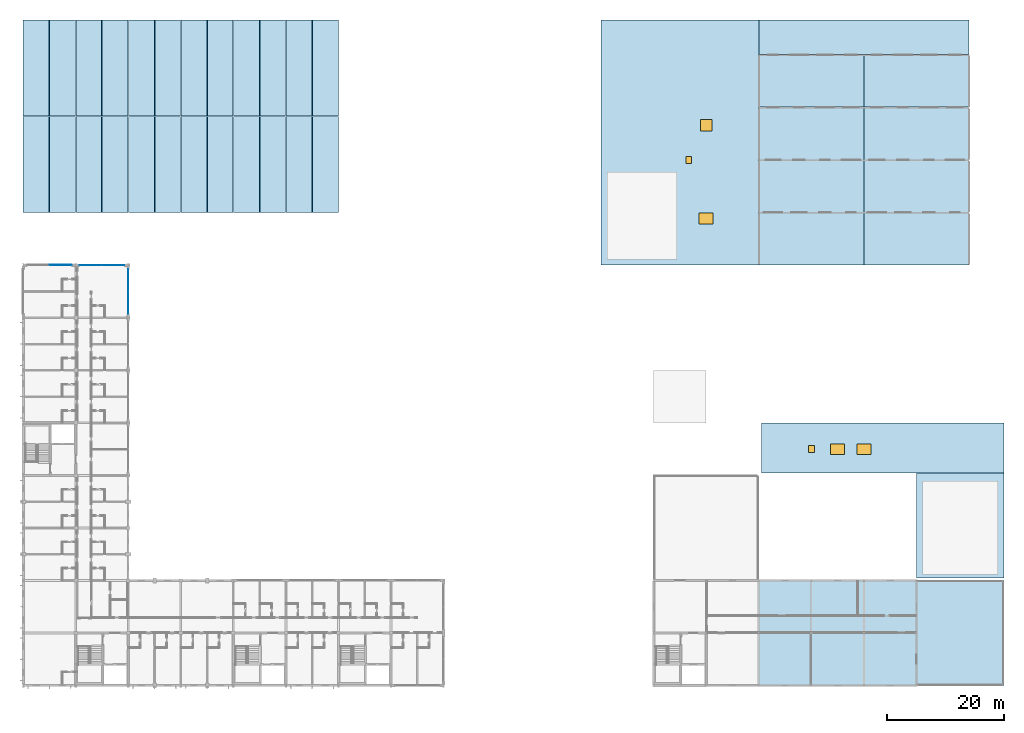
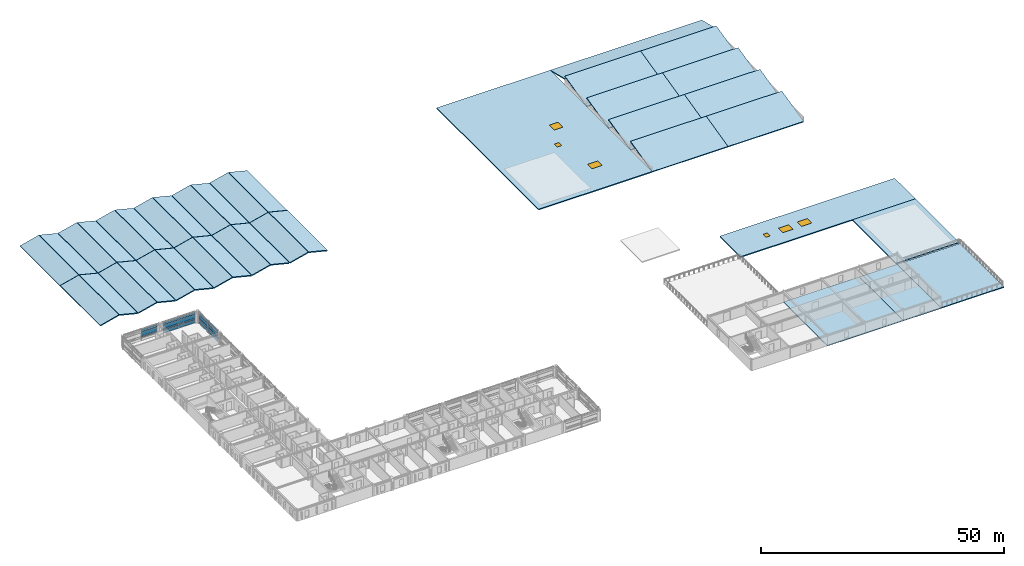
# One storey, part 16 of 37: 39 slabs, 19 plates, 4 windows, 2 doors, 6 openings, 3 elements without a shape of their own.
"""IFC4 building model written with IfcOpenShell, lengths in metres."""

from ifc_helpers import new_model, si_unit, direction, frame, origin, origin_2d, place, context, subcontext, project, spatial, polyline, rectangle, outline, extrude, material, layer, layer_set, type_object, element, fill, aggregate, save


model = new_model("IFC4")

# Units and contexts
model_context = context("Model", 3, precision=1e-05, world=origin(), true_north=direction((0.0, 1.0)))
body_context = subcontext(model_context, "Body", "Model", "MODEL_VIEW")
ifc_project = project(units=[si_unit("LENGTHUNIT", "METRE"), si_unit("AREAUNIT", "SQUARE_METRE"), si_unit("VOLUMEUNIT", "CUBIC_METRE"), si_unit("PLANEANGLEUNIT", "RADIAN"), si_unit("MASSUNIT", "GRAM", prefix="KILO")], contexts=[model_context])

# Site, building, storey
site_placement = place(None, origin())
site = spatial("IfcSite", under=ifc_project, at=site_placement, CompositionType="ELEMENT")
building_placement = place(site_placement, origin())
building = spatial("IfcBuilding", under=site, at=building_placement, Name="Palais des Congres Ocreval", CompositionType="ELEMENT")
storey_placement = place(building_placement, frame((0.0, 0.0, 11.52001953125)))
storey = spatial("IfcBuildingStorey", under=building, at=storey_placement, Name="L03", CompositionType="ELEMENT", Elevation=11.52001953125)

# Curtain wall, plates
ifc_material_1 = material(Name="Anodized bronze aluminium and low-E glass", Category="glass")
curtain_wall_type = type_object("IfcCurtainWallType", Name="Unitised Curtain Wall 7900x2820", PredefinedType="USERDEFINED", material=ifc_material_1)
curtain_wall_1_placement = place(storey_placement, origin())
curtain_wall_1 = element("IfcCurtainWall", 1, at=curtain_wall_1_placement, inside=storey, type_object=curtain_wall_type, Name="Unitised Curtain Wall CW04 L03", ObjectType="UNITISED CURTAIN WALL", PredefinedType="USERDEFINED")
ifc_material_2 = material(Name="Acoustic triple glazing", Category="glass")
ifc_layer_1 = layer(ifc_material_2, 0.0439453125)
ifc_layer_set_1 = layer_set([ifc_layer_1], Name="Acoustic Laminated Glazing Panel 44 (Acoustic triple glazing)")
plate_type_1 = type_object("IfcPlateType", Name="Acoustic Laminated Glazing Panel 44", PredefinedType="CURTAIN_PANEL", material=ifc_layer_set_1)
plate_1_placement = place(storey_placement, frame((18.0, 69.40869140625, 0.06005859375), z_axis=(0.0, 0.0, 1.0), x_axis=(0.0, -1.0, 0.0)))
plate_1 = element("IfcPlate", 2, at=plate_1_placement, type_object=plate_type_1, Name="Vision Glazing Panel VP02", PredefinedType="CURTAIN_PANEL", context=body_context, shape_type="SweptSolid", body=[
    extrude(rectangle(XDim=3.75244140625, YDim=0.0439453125, at=origin_2d()), origin(), (0.0, 0.0, 1.0), 0.68994140625),
])
plate_2_placement = place(storey_placement, frame((18.0, 69.40869140625, 0.81005859375), z_axis=(0.0, 0.0, 1.0), x_axis=(0.0, -1.0, 0.0)))
plate_2 = element("IfcPlate", 3, at=plate_2_placement, type_object=plate_type_1, Name="Vision Glazing Panel VP02", PredefinedType="CURTAIN_PANEL", context=body_context, shape_type="SweptSolid", body=[
    extrude(rectangle(XDim=3.75244140625, YDim=0.0439453125, at=origin_2d()), origin(), (0.0, 0.0, 1.0), 0.353515625),
])
plate_3_placement = place(storey_placement, frame((18.0, 69.40869140625, 1.2236328125), z_axis=(0.0, 0.0, 1.0), x_axis=(0.0, -1.0, 0.0)))
plate_3 = element("IfcPlate", 4, at=plate_3_placement, type_object=plate_type_1, Name="Vision Glazing Panel VP02", PredefinedType="CURTAIN_PANEL", context=body_context, shape_type="SweptSolid", body=[
    extrude(rectangle(XDim=3.75244140625, YDim=0.0439453125, at=origin_2d()), origin(), (0.0, 0.0, 1.0), 0.91650390625),
])
plate_4_placement = place(storey_placement, frame((18.0, 65.59130859375, 0.06005859375), z_axis=(0.0, 0.0, 1.0), x_axis=(0.0, -1.0, 0.0)))
plate_4 = element("IfcPlate", 5, at=plate_4_placement, type_object=plate_type_1, Name="Vision Glazing Panel VP02", PredefinedType="CURTAIN_PANEL", context=body_context, shape_type="SweptSolid", body=[
    extrude(rectangle(XDim=3.75244140625, YDim=0.0439453125, at=origin_2d()), origin(), (0.0, 0.0, 1.0), 0.68994140625),
])
plate_5_placement = place(storey_placement, frame((18.0, 65.59130859375, 0.81005859375), z_axis=(0.0, 0.0, 1.0), x_axis=(0.0, -1.0, 0.0)))
plate_5 = element("IfcPlate", 6, at=plate_5_placement, type_object=plate_type_1, Name="Vision Glazing Panel VP02", PredefinedType="CURTAIN_PANEL", context=body_context, shape_type="SweptSolid", body=[
    extrude(rectangle(XDim=3.75244140625, YDim=0.0439453125, at=origin_2d()), origin(), (0.0, 0.0, 1.0), 0.353515625),
])
plate_6_placement = place(storey_placement, frame((18.0, 65.59130859375, 1.2236328125), z_axis=(0.0, 0.0, 1.0), x_axis=(0.0, -1.0, 0.0)))
plate_6 = element("IfcPlate", 7, at=plate_6_placement, type_object=plate_type_1, Name="Vision Glazing Panel VP02", PredefinedType="CURTAIN_PANEL", context=body_context, shape_type="SweptSolid", body=[
    extrude(rectangle(XDim=3.75244140625, YDim=0.0439453125, at=origin_2d()), origin(), (0.0, 0.0, 1.0), 0.91650390625),
])

curtain_wall_2_placement = place(storey_placement, origin())
curtain_wall_2 = element("IfcCurtainWall", 8, at=curtain_wall_2_placement, inside=storey, type_object=curtain_wall_type, Name="Unitised Curtain Wall CW04 L03", ObjectType="UNITISED CURTAIN WALL", PredefinedType="USERDEFINED")
ifc_material_3 = material(Name="Anodized bronze aluminium", Category="aluminium")
ifc_layer_2 = layer(ifc_material_3, 0.06005859375)
ifc_layer_set_2 = layer_set([ifc_layer_2], Name="Anodized Bronze Spandrel Cassette 60 (Anodized bronze aluminium)")
plate_type_2 = type_object("IfcPlateType", Name="Anodized Bronze Spandrel Cassette 60", PredefinedType="SHEET", material=ifc_layer_set_2)
plate_7_placement = place(storey_placement, frame((11.592529296875, 72.0, 2.199951171875), z_axis=(0.0, 0.0, 1.0), x_axis=(1.0, 0.0, 0.0)))
plate_7 = element("IfcPlate", 9, at=plate_7_placement, type_object=plate_type_2, Name="Spandrel Sheet SPN1", PredefinedType="SHEET", context=body_context, shape_type="SweptSolid", body=[
    extrude(rectangle(XDim=3.7451171875, YDim=0.06005859375, at=origin_2d()), origin(), (0.0, 0.0, 1.0), 0.56005859375),
])
plate_8_placement = place(storey_placement, frame((15.407470703125, 72.0, 2.199951171875), z_axis=(0.0, 0.0, 1.0), x_axis=(1.0, 0.0, 0.0)))
plate_8 = element("IfcPlate", 10, at=plate_8_placement, type_object=plate_type_2, Name="Spandrel Sheet SPN1", PredefinedType="SHEET", context=body_context, shape_type="SweptSolid", body=[
    extrude(rectangle(XDim=3.7451171875, YDim=0.06005859375, at=origin_2d()), origin(), (0.0, 0.0, 1.0), 0.56005859375),
])

# Slab, openings, windows, door
ifc_material_4 = material(Name="Concrete C40/50", Category="concrete")
ifc_layer_3 = layer(ifc_material_4, 0.25)
ifc_layer_set_3 = layer_set([ifc_layer_3], Name="Folded and Crown Roof Deck 250 Concrete C40/50")
slab_type_1 = type_object("IfcSlabType", Name="Folded and Crown Roof Deck 250 Concrete C40/50", PredefinedType="ROOF", material=ifc_layer_set_3)
slab_1_placement = place(storey_placement, frame((0.0, 0.0, -0.25)))
slab_1 = element("IfcSlab", 11, at=slab_1_placement, inside=storey, type_object=slab_type_1, Name="Ballroom West Acoustic Roof Deck", PredefinedType="ROOF", context=body_context, shape_type="SweptSolid", body=[
    extrude(outline(polyline([(99.0, 72.0), (99.0, 114.0), (126.0, 114.0), (126.0, 72.0), (99.0, 72.0)])), origin(), (0.0, 0.0, 1.0), 0.25),
])
opening_1_placement = place(slab_1_placement, frame((114.0, 90.0, 0.0)))
opening_1 = element("IfcOpeningElement", 12, at=opening_1_placement, cuts=slab_1, Name="Opening RH01", PredefinedType="OPENING", context=body_context, shape_type="SweptSolid", body=[
    extrude(rectangle(XDim=1.0, YDim=1.199951171875, at=origin_2d()), frame((0.0, 0.0, -0.010009765625), z_axis=(0.0, 0.0, 1.0), x_axis=(1.0, 0.0, 0.0)), (0.0, 0.0, 1.0), 0.27001953125),
])
opening_2_placement = place(slab_1_placement, frame((117.0, 80.0, 0.0)))
opening_2 = element("IfcOpeningElement", 13, at=opening_2_placement, cuts=slab_1, Name="Opening SK05", PredefinedType="OPENING", context=body_context, shape_type="SweptSolid", body=[
    extrude(rectangle(XDim=2.39990234375, YDim=1.800048828125, at=origin_2d()), frame((0.0, 0.0, -0.010009765625), z_axis=(0.0, 0.0, 1.0), x_axis=(1.0, 0.0, 0.0)), (0.0, 0.0, 1.0), 0.27001953125),
])
opening_3_placement = place(slab_1_placement, frame((117.0, 96.0, 0.0)))
opening_3 = element("IfcOpeningElement", 14, at=opening_3_placement, cuts=slab_1, Name="Opening SK06", PredefinedType="OPENING", context=body_context, shape_type="SweptSolid", body=[
    extrude(rectangle(XDim=2.0, YDim=2.0, at=origin_2d()), frame((0.0, 0.0, -0.010009765625), z_axis=(0.0, 0.0, 1.0), x_axis=(1.0, 0.0, 0.0)), (0.0, 0.0, 1.0), 0.27001953125),
])
window_type_1 = type_object("IfcWindowType", Name="Flat Roof Modular Skylight 2400x1800", PartitioningType="SINGLE_PANEL", PredefinedType="SKYLIGHT", material=ifc_material_1)
window_1_placement = place(opening_2_placement, frame((0.0, 0.0, 0.199951171875)))
window_1 = element("IfcWindow", 15, at=window_1_placement, inside=storey, type_object=window_type_1, Name="Roof Skylight SK05 9", OverallHeight=1.800048828125, OverallWidth=2.39990234375, PartitioningType="SINGLE_PANEL", PredefinedType="SKYLIGHT", context=body_context, shape_type="SweptSolid", body=[
    extrude(rectangle(XDim=2.39990234375, YDim=1.800048828125, at=origin_2d()), origin(), (0.0, 0.0, 1.0), 0.050048828125),
])
fill(opening_2, window_1)
ifc_material_5 = material(Name="Galvanized painted steel", Category="steel")
door_type = type_object("IfcDoorType", Name="Insulated Roof Access Hatch 1000x1200", OperationType="NOTDEFINED", PredefinedType="TRAPDOOR", material=ifc_material_5)
door_1_placement = place(opening_1_placement, frame((0.0, 0.0, 0.199951171875)))
door_1 = element("IfcDoor", 16, at=door_1_placement, inside=storey, type_object=door_type, Name="Roof Access Hatch RH01 4", OperationType="SINGLE_SWING_LEFT", OverallHeight=1.199951171875, OverallWidth=1.0, PredefinedType="TRAPDOOR", context=body_context, shape_type="SweptSolid", body=[
    extrude(rectangle(XDim=1.0, YDim=1.199951171875, at=origin_2d()), origin(), (0.0, 0.0, 1.0), 0.050048828125),
])
fill(opening_1, door_1)
window_type_2 = type_object("IfcWindowType", Name="Podium Roof Lantern Skylight 2000x2000", PartitioningType="SINGLE_PANEL", PredefinedType="SKYLIGHT", material=ifc_material_1)
window_2_placement = place(opening_3_placement, frame((0.0, 0.0, 0.199951171875)))
window_2 = element("IfcWindow", 17, at=window_2_placement, inside=storey, type_object=window_type_2, Name="Roof Skylight SK06 10", OverallHeight=2.0, OverallWidth=2.0, PartitioningType="SINGLE_PANEL", PredefinedType="SKYLIGHT", context=body_context, shape_type="SweptSolid", body=[
    extrude(rectangle(XDim=2.0, YDim=2.0, at=origin_2d()), origin(), (0.0, 0.0, 1.0), 0.050048828125),
])
fill(opening_3, window_2)

slab_2_placement = place(storey_placement, frame((0.0, 0.0, -0.25)))
slab_2 = element("IfcSlab", 18, at=slab_2_placement, inside=storey, type_object=slab_type_1, Name="Breakout North Wing Roof Deck", PredefinedType="ROOF", context=body_context, shape_type="SweptSolid", body=[
    extrude(outline(polyline([(126.449951171875, 36.449951171875), (126.449951171875, 45.0), (168.0, 45.0), (168.0, 36.449951171875), (126.449951171875, 36.449951171875)])), origin(), (0.0, 0.0, 1.0), 0.25),
])
opening_4_placement = place(slab_2_placement, frame((135.0, 40.5, 0.0)))
opening_4 = element("IfcOpeningElement", 19, at=opening_4_placement, cuts=slab_2, Name="Opening RH01", PredefinedType="OPENING", context=body_context, shape_type="SweptSolid", body=[
    extrude(rectangle(XDim=1.0, YDim=1.199951171875, at=origin_2d()), frame((0.0, 0.0, -0.010009765625), z_axis=(0.0, 0.0, 1.0), x_axis=(1.0, 0.0, 0.0)), (0.0, 0.0, 1.0), 0.27001953125),
])
opening_5_placement = place(slab_2_placement, frame((139.5, 40.5, 0.0)))
opening_5 = element("IfcOpeningElement", 20, at=opening_5_placement, cuts=slab_2, Name="Opening SK05", PredefinedType="OPENING", context=body_context, shape_type="SweptSolid", body=[
    extrude(rectangle(XDim=2.39990234375, YDim=1.800048828125, at=origin_2d()), frame((0.0, 0.0, -0.010009765625), z_axis=(0.0, 0.0, 1.0), x_axis=(1.0, 0.0, 0.0)), (0.0, 0.0, 1.0), 0.27001953125),
])
opening_6_placement = place(slab_2_placement, frame((144.0, 40.5, 0.0)))
opening_6 = element("IfcOpeningElement", 21, at=opening_6_placement, cuts=slab_2, Name="Opening SK05", PredefinedType="OPENING", context=body_context, shape_type="SweptSolid", body=[
    extrude(rectangle(XDim=2.39990234375, YDim=1.800048828125, at=origin_2d()), frame((0.0, 0.0, -0.010009765625), z_axis=(0.0, 0.0, 1.0), x_axis=(1.0, 0.0, 0.0)), (0.0, 0.0, 1.0), 0.27001953125),
])
window_3_placement = place(opening_5_placement, frame((0.0, 0.0, 0.199951171875)))
window_3 = element("IfcWindow", 22, at=window_3_placement, inside=storey, type_object=window_type_1, Name="Roof Skylight SK05 7", OverallHeight=1.800048828125, OverallWidth=2.39990234375, PartitioningType="SINGLE_PANEL", PredefinedType="SKYLIGHT", context=body_context, shape_type="SweptSolid", body=[
    extrude(rectangle(XDim=2.39990234375, YDim=1.800048828125, at=origin_2d()), origin(), (0.0, 0.0, 1.0), 0.050048828125),
])
fill(opening_5, window_3)
window_4_placement = place(opening_6_placement, frame((0.0, 0.0, 0.199951171875)))
window_4 = element("IfcWindow", 23, at=window_4_placement, inside=storey, type_object=window_type_1, Name="Roof Skylight SK05 11", OverallHeight=1.800048828125, OverallWidth=2.39990234375, PartitioningType="SINGLE_PANEL", PredefinedType="SKYLIGHT", context=body_context, shape_type="SweptSolid", body=[
    extrude(rectangle(XDim=2.39990234375, YDim=1.800048828125, at=origin_2d()), origin(), (0.0, 0.0, 1.0), 0.050048828125),
])
fill(opening_6, window_4)
door_2_placement = place(opening_4_placement, frame((0.0, 0.0, 0.199951171875)))
door_2 = element("IfcDoor", 24, at=door_2_placement, inside=storey, type_object=door_type, Name="Roof Access Hatch RH01 5", OperationType="SINGLE_SWING_LEFT", OverallHeight=1.199951171875, OverallWidth=1.0, PredefinedType="TRAPDOOR", context=body_context, shape_type="SweptSolid", body=[
    extrude(rectangle(XDim=1.0, YDim=1.199951171875, at=origin_2d()), origin(), (0.0, 0.0, 1.0), 0.050048828125),
])
fill(opening_4, door_2)

# Slabs
slab_3_placement = place(storey_placement, frame((0.0, 0.0, -0.25)))
element("IfcSlab", 25, at=slab_3_placement, inside=storey, type_object=slab_type_1, Name="Breakout East Wing Roof Deck", PredefinedType="ROOF", context=body_context, shape_type="SweptSolid", body=[
    extrude(outline(polyline([(153.0, 18.449951171875), (153.0, 36.449951171875), (168.0, 36.449951171875), (168.0, 18.449951171875), (153.0, 18.449951171875)])), origin(), (0.0, 0.0, 1.0), 0.25),
])
slab_4_placement = place(storey_placement, frame((0.0, 81.0, 0.0), z_axis=(-0.241935041684, 0.0, 0.970292448494), x_axis=(0.970292448494, 0.0, 0.241935041684)))
element("IfcSlab", 26, at=slab_4_placement, inside=storey, type_object=slab_type_1, Name="Congress Folded Roof Facet 1W-1", PredefinedType="ROOF", context=body_context, shape_type="SweptSolid", body=[
    extrude(outline(polyline([(0.0, 0.0), (4.591479746042233, 0.0), (4.591479746042233, 16.47998046875), (0.0, 16.47998046875), (0.0, 0.0)])), origin(), (0.0, 0.0, -1.0), 0.25),
])
slab_5_placement = place(storey_placement, frame((4.544921875, 81.0, 1.11083984375), z_axis=(0.241928922707, 0.0, 0.970293974194), x_axis=(0.970293974194, 0.0, -0.241928922707)))
element("IfcSlab", 27, at=slab_5_placement, inside=storey, type_object=slab_type_1, Name="Congress Folded Roof Facet 1E-1", PredefinedType="ROOF", context=body_context, shape_type="SweptSolid", body=[
    extrude(outline(polyline([(0.0, 0.0), (4.545175346122738, 0.0), (4.545175346122738, 16.47998046875), (0.0, 16.47998046875), (0.0, 0.0)])), origin(), (0.0, 0.0, -1.0), 0.25),
])
slab_6_placement = place(storey_placement, frame((0.0, 97.52001953125, 0.0), z_axis=(-0.241935041684, 0.0, 0.970292448494), x_axis=(0.970292448494, 0.0, 0.241935041684)))
element("IfcSlab", 28, at=slab_6_placement, inside=storey, type_object=slab_type_1, Name="Congress Folded Roof Facet 1W-2", PredefinedType="ROOF", context=body_context, shape_type="SweptSolid", body=[
    extrude(outline(polyline([(0.0, 0.0), (4.591479746042233, 0.0), (4.591479746042233, 16.47998046875), (0.0, 16.47998046875), (0.0, 0.0)])), origin(), (0.0, 0.0, -1.0), 0.25),
])
for number, where, z_axis, x_axis, name in (
    (29, (4.544921875, 97.52001953125, 1.11083984375), (0.241928922707, 0.0, 0.970293974194), (0.970293974194, 0.0, -0.241928922707), "Congress Folded Roof Facet 1E-2"),
    (30, (9.044921875, 81.0, 0.01123046875), (-0.241928922707, 0.0, 0.970293974194), (0.970293974194, 0.0, 0.241928922707), "Congress Folded Roof Facet 2W-1"),
    (31, (13.544921875, 81.0, 1.11083984375), (0.241928922707, 0.0, 0.970293974194), (0.970293974194, 0.0, -0.241928922707), "Congress Folded Roof Facet 2E-1"),
    (32, (9.044921875, 97.52001953125, 0.01123046875), (-0.241928922707, 0.0, 0.970293974194), (0.970293974194, 0.0, 0.241928922707), "Congress Folded Roof Facet 2W-2"),
    (33, (13.544921875, 97.52001953125, 1.11083984375), (0.241928922707, 0.0, 0.970293974194), (0.970293974194, 0.0, -0.241928922707), "Congress Folded Roof Facet 2E-2"),
    (34, (18.044921875, 81.0, 0.01123046875), (-0.241928922707, 0.0, 0.970293974194), (0.970293974194, 0.0, 0.241928922707), "Congress Folded Roof Facet 3W-1"),
    (35, (22.544921875, 81.0, 1.11083984375), (0.241928922707, 0.0, 0.970293974194), (0.970293974194, 0.0, -0.241928922707), "Congress Folded Roof Facet 3E-1"),
    (36, (18.044921875, 97.52001953125, 0.01123046875), (-0.241928922707, 0.0, 0.970293974194), (0.970293974194, 0.0, 0.241928922707), "Congress Folded Roof Facet 3W-2"),
    (37, (22.544921875, 97.52001953125, 1.11083984375), (0.241928922707, 0.0, 0.970293974194), (0.970293974194, 0.0, -0.241928922707), "Congress Folded Roof Facet 3E-2"),
    (38, (27.044921875, 81.0, 0.01123046875), (-0.241928922707, 0.0, 0.970293974194), (0.970293974194, 0.0, 0.241928922707), "Congress Folded Roof Facet 4W-1"),
    (39, (31.544921875, 81.0, 1.11083984375), (0.241928922707, 0.0, 0.970293974194), (0.970293974194, 0.0, -0.241928922707), "Congress Folded Roof Facet 4E-1"),
    (40, (27.044921875, 97.52001953125, 0.01123046875), (-0.241928922707, 0.0, 0.970293974194), (0.970293974194, 0.0, 0.241928922707), "Congress Folded Roof Facet 4W-2"),
    (41, (31.544921875, 97.52001953125, 1.11083984375), (0.241928922707, 0.0, 0.970293974194), (0.970293974194, 0.0, -0.241928922707), "Congress Folded Roof Facet 4E-2"),
    (42, (36.044921875, 81.0, 0.01123046875), (-0.241928922707, 0.0, 0.970293974194), (0.970293974194, 0.0, 0.241928922707), "Congress Folded Roof Facet 5W-1"),
    (43, (40.544921875, 81.0, 1.11083984375), (0.241928922707, 0.0, 0.970293974194), (0.970293974194, 0.0, -0.241928922707), "Congress Folded Roof Facet 5E-1"),
    (44, (36.044921875, 97.52001953125, 0.01123046875), (-0.241928922707, 0.0, 0.970293974194), (0.970293974194, 0.0, 0.241928922707), "Congress Folded Roof Facet 5W-2"),
    (45, (40.544921875, 97.52001953125, 1.11083984375), (0.241928922707, 0.0, 0.970293974194), (0.970293974194, 0.0, -0.241928922707), "Congress Folded Roof Facet 5E-2"),
    (46, (45.044921875, 81.0, 0.01123046875), (-0.241928922707, 0.0, 0.970293974194), (0.970293974194, 0.0, 0.241928922707), "Congress Folded Roof Facet 6W-1"),
):
    element("IfcSlab", number, at=place(storey_placement, frame(where, z_axis=z_axis, x_axis=x_axis)), inside=storey, type_object=slab_type_1, Name=name, PredefinedType="ROOF", context=body_context, shape_type="SweptSolid", body=[
        extrude(outline(polyline([(0.0, 0.0), (4.545175346122738, 0.0), (4.545175346122738, 16.47998046875), (0.0, 16.47998046875), (0.0, 0.0)])), origin(), (0.0, 0.0, -1.0), 0.25),
    ])
slab_7_placement = place(storey_placement, frame((49.544921875, 81.0, 1.11083984375), z_axis=(0.241935041684, 0.0, 0.970292448494), x_axis=(0.970292448494, 0.0, -0.241935041684)))
element("IfcSlab", 47, at=slab_7_placement, inside=storey, type_object=slab_type_1, Name="Congress Folded Roof Facet 6E-1", PredefinedType="ROOF", context=body_context, shape_type="SweptSolid", body=[
    extrude(outline(polyline([(0.0, 0.0), (4.591479746042233, 0.0), (4.591479746042233, 16.47998046875), (0.0, 16.47998046875), (0.0, 0.0)])), origin(), (0.0, 0.0, -1.0), 0.25),
])
slab_8_placement = place(storey_placement, frame((45.044921875, 97.52001953125, 0.01123046875), z_axis=(-0.241928922707, 0.0, 0.970293974194), x_axis=(0.970293974194, 0.0, 0.241928922707)))
element("IfcSlab", 48, at=slab_8_placement, inside=storey, type_object=slab_type_1, Name="Congress Folded Roof Facet 6W-2", PredefinedType="ROOF", context=body_context, shape_type="SweptSolid", body=[
    extrude(outline(polyline([(0.0, 0.0), (4.545175346122738, 0.0), (4.545175346122738, 16.47998046875), (0.0, 16.47998046875), (0.0, 0.0)])), origin(), (0.0, 0.0, -1.0), 0.25),
])
slab_9_placement = place(storey_placement, frame((49.544921875, 97.52001953125, 1.11083984375), z_axis=(0.241935041684, 0.0, 0.970292448494), x_axis=(0.970292448494, 0.0, -0.241935041684)))
element("IfcSlab", 49, at=slab_9_placement, inside=storey, type_object=slab_type_1, Name="Congress Folded Roof Facet 6E-2", PredefinedType="ROOF", context=body_context, shape_type="SweptSolid", body=[
    extrude(outline(polyline([(0.0, 0.0), (4.591479746042233, 0.0), (4.591479746042233, 16.47998046875), (0.0, 16.47998046875), (0.0, 0.0)])), origin(), (0.0, 0.0, -1.0), 0.25),
])
for number, where, z_axis, x_axis, name in (
    (50, (126.0, 72.0, 0.0), (0.0, -0.233463734981, 0.972365509697), (1.0, 0.0, 0.0), "Ballroom Sawtooth Roof Facet 1-1"),
    (51, (144.0, 72.0, 0.0), (0.0, -0.233463734981, 0.972365509697), (1.0, 0.0, 0.0), "Ballroom Sawtooth Roof Facet 1-2"),
    (52, (126.0, 81.0, 0.0), (0.0, -0.233463734981, 0.972365509697), (1.0, 0.0, 0.0), "Ballroom Sawtooth Roof Facet 2-1"),
    (53, (144.0, 81.0, 0.0), (0.0, -0.233463734981, 0.972365509697), (1.0, 0.0, 0.0), "Ballroom Sawtooth Roof Facet 2-2"),
    (54, (126.0, 90.0, 0.0), (0.0, -0.233463734981, 0.972365509697), (1.0, 0.0, 0.0), "Ballroom Sawtooth Roof Facet 3-1"),
    (55, (144.0, 90.0, 0.0), (0.0, -0.233463734981, 0.972365509697), (1.0, 0.0, 0.0), "Ballroom Sawtooth Roof Facet 3-2"),
    (56, (126.0, 99.0, 0.0), (0.0, -0.233463734981, 0.972365509697), (1.0, 0.0, 0.0), "Ballroom Sawtooth Roof Facet 4-1"),
    (57, (144.0, 99.0, 0.0), (0.0, -0.233463734981, 0.972365509697), (1.0, 0.0, 0.0), "Ballroom Sawtooth Roof Facet 4-2"),
):
    element("IfcSlab", number, at=place(storey_placement, frame(where, z_axis=z_axis, x_axis=x_axis)), inside=storey, type_object=slab_type_1, Name=name, PredefinedType="ROOF", context=body_context, shape_type="SweptSolid", body=[
        extrude(outline(polyline([(0.0, 0.0), (18.0, 0.0), (18.0, 9.255778727488991), (0.0, 9.255778727488991), (0.0, 0.0)])), origin(), (0.0, 0.0, -1.0), 0.25),
    ])
slab_10_placement = place(storey_placement, frame((126.0, 108.0, 1.49609375), z_axis=(0.0, 0.241941038466, 0.970290953223), x_axis=(1.0, 0.0, 0.0)))
element("IfcSlab", 58, at=slab_10_placement, inside=storey, type_object=slab_type_1, Name="Ballroom North Pitched Roof Facet", PredefinedType="ROOF", context=body_context, shape_type="SweptSolid", body=[
    extrude(outline(polyline([(0.0, 0.0), (36.0, 0.0), (36.0, 6.183712194854242), (0.0, 6.183712194854242), (0.0, 0.0)])), origin(), (0.0, 0.0, -1.0), 0.25),
])

# Curtain wall, plates
curtain_wall_3_placement = place(storey_placement, origin())
curtain_wall_3 = element("IfcCurtainWall", 59, at=curtain_wall_3_placement, inside=storey, type_object=curtain_wall_type, Name="Unitised Curtain Wall CW04 L03", ObjectType="UNITISED CURTAIN WALL", PredefinedType="USERDEFINED")
ifc_material_6 = material(Name="Low-E solar-control double glazing", Category="glass")
ifc_layer_4 = layer(ifc_material_6, 0.031982421875)
ifc_layer_set_4 = layer_set([ifc_layer_4], Name="Galleria Clear Vision Panel 32 (Low-E solar-control double glazing)")
plate_type_3 = type_object("IfcPlateType", Name="Galleria Clear Vision Panel 32", PredefinedType="CURTAIN_PANEL", material=ifc_layer_set_4)
plate_9_placement = place(storey_placement, frame((6.40869140625, 72.0, 0.81005859375), z_axis=(0.0, 0.0, 1.0), x_axis=(1.0, 0.0, 0.0)))
plate_9 = element("IfcPlate", 60, at=plate_9_placement, type_object=plate_type_3, Name="Vision Glazing Panel VP03", PredefinedType="CURTAIN_PANEL", context=body_context, shape_type="SweptSolid", body=[
    extrude(rectangle(XDim=3.75244140625, YDim=0.031982421875, at=origin_2d()), origin(), (0.0, 0.0, 1.0), 0.353515625),
])
plate_10_placement = place(storey_placement, frame((6.40869140625, 72.0, 1.2236328125), z_axis=(0.0, 0.0, 1.0), x_axis=(1.0, 0.0, 0.0)))
plate_10 = element("IfcPlate", 61, at=plate_10_placement, type_object=plate_type_3, Name="Vision Glazing Panel VP03", PredefinedType="CURTAIN_PANEL", context=body_context, shape_type="SweptSolid", body=[
    extrude(rectangle(XDim=3.75244140625, YDim=0.031982421875, at=origin_2d()), origin(), (0.0, 0.0, 1.0), 0.91650390625),
])

# Plate
ifc_layer_5 = layer(ifc_material_6, 0.035888671875)
ifc_layer_set_5 = layer_set([ifc_layer_5], Name="Low-E Vision Glazing Panel 36 (Low-E solar-control double glazing)")
plate_type_4 = type_object("IfcPlateType", Name="Low-E Vision Glazing Panel 36", PredefinedType="CURTAIN_PANEL", material=ifc_layer_set_5)
plate_11_placement = place(storey_placement, frame((11.592529296875, 72.0, 0.06005859375), z_axis=(0.0, 0.0, 1.0), x_axis=(1.0, 0.0, 0.0)))
plate_11 = element("IfcPlate", 62, at=plate_11_placement, type_object=plate_type_4, Name="Vision Glazing Panel VP01", PredefinedType="CURTAIN_PANEL", context=body_context, shape_type="SweptSolid", body=[
    extrude(rectangle(XDim=3.7451171875, YDim=0.035888671875, at=origin_2d()), origin(), (0.0, 0.0, 1.0), 0.68994140625),
])

plate_12_placement = place(storey_placement, frame((11.592529296875, 72.0, 0.81005859375), z_axis=(0.0, 0.0, 1.0), x_axis=(1.0, 0.0, 0.0)))
plate_12 = element("IfcPlate", 63, at=plate_12_placement, type_object=plate_type_4, Name="Vision Glazing Panel VP01", PredefinedType="CURTAIN_PANEL", context=body_context, shape_type="SweptSolid", body=[
    extrude(rectangle(XDim=3.7451171875, YDim=0.035888671875, at=origin_2d()), origin(), (0.0, 0.0, 1.0), 0.353515625),
])

plate_13_placement = place(storey_placement, frame((11.592529296875, 72.0, 1.2236328125), z_axis=(0.0, 0.0, 1.0), x_axis=(1.0, 0.0, 0.0)))
plate_13 = element("IfcPlate", 64, at=plate_13_placement, type_object=plate_type_4, Name="Vision Glazing Panel VP01", PredefinedType="CURTAIN_PANEL", context=body_context, shape_type="SweptSolid", body=[
    extrude(rectangle(XDim=3.7451171875, YDim=0.035888671875, at=origin_2d()), origin(), (0.0, 0.0, 1.0), 0.91650390625),
])

plate_14_placement = place(storey_placement, frame((15.407470703125, 72.0, 0.06005859375), z_axis=(0.0, 0.0, 1.0), x_axis=(1.0, 0.0, 0.0)))
plate_14 = element("IfcPlate", 65, at=plate_14_placement, type_object=plate_type_4, Name="Vision Glazing Panel VP01", PredefinedType="CURTAIN_PANEL", context=body_context, shape_type="SweptSolid", body=[
    extrude(rectangle(XDim=3.7451171875, YDim=0.035888671875, at=origin_2d()), origin(), (0.0, 0.0, 1.0), 0.68994140625),
])

plate_15_placement = place(storey_placement, frame((15.407470703125, 72.0, 0.81005859375), z_axis=(0.0, 0.0, 1.0), x_axis=(1.0, 0.0, 0.0)))
plate_15 = element("IfcPlate", 66, at=plate_15_placement, type_object=plate_type_4, Name="Vision Glazing Panel VP01", PredefinedType="CURTAIN_PANEL", context=body_context, shape_type="SweptSolid", body=[
    extrude(rectangle(XDim=3.7451171875, YDim=0.035888671875, at=origin_2d()), origin(), (0.0, 0.0, 1.0), 0.353515625),
])

plate_16_placement = place(storey_placement, frame((15.407470703125, 72.0, 1.2236328125), z_axis=(0.0, 0.0, 1.0), x_axis=(1.0, 0.0, 0.0)))
plate_16 = element("IfcPlate", 67, at=plate_16_placement, type_object=plate_type_4, Name="Vision Glazing Panel VP01", PredefinedType="CURTAIN_PANEL", context=body_context, shape_type="SweptSolid", body=[
    extrude(rectangle(XDim=3.7451171875, YDim=0.035888671875, at=origin_2d()), origin(), (0.0, 0.0, 1.0), 0.91650390625),
])

aggregate(curtain_wall_2, [plate_11, plate_12, plate_13, plate_7, plate_14, plate_15, plate_16, plate_8])

# Slabs
ifc_layer_6 = layer(ifc_material_4, 0.219970703125)
ifc_layer_set_6 = layer_set([ifc_layer_6], Name="Post-Tensioned Hotel Slab 220 Concrete C40/50")
slab_type_2 = type_object("IfcSlabType", Name="Post-Tensioned Hotel Slab 220 Concrete C40/50", PredefinedType="FLOOR", material=ifc_layer_set_6)
slab_11_placement = place(storey_placement, frame((0.0, 0.0, -0.219970703125)))
element("IfcSlab", 68, at=slab_11_placement, inside=storey, type_object=slab_type_2, Name="Floor Slab SL11 L03 V3-2", PredefinedType="FLOOR", context=body_context, shape_type="SweptSolid", body=[
    extrude(outline(polyline([(144.0, 18.0), (144.0, 0.0), (126.0, 0.0), (126.0, 18.0), (144.0, 18.0)])), origin(), (0.0, 0.0, 1.0), 0.219970703125),
])
slab_12_placement = place(storey_placement, frame((0.0, 0.0, -0.219970703125)))
element("IfcSlab", 69, at=slab_12_placement, inside=storey, type_object=slab_type_2, Name="Floor Slab SL11 L03 V3-3", PredefinedType="FLOOR", context=body_context, shape_type="SweptSolid", body=[
    extrude(outline(polyline([(153.0, 18.0), (153.0, 0.0), (144.0, 0.0), (144.0, 18.0), (153.0, 18.0)])), origin(), (0.0, 0.0, 1.0), 0.219970703125),
])
slab_13_placement = place(storey_placement, frame((0.0, 0.0, -0.219970703125)))
element("IfcSlab", 70, at=slab_13_placement, inside=storey, type_object=slab_type_2, Name="Breakout East Planted Roof Terrace", PredefinedType="FLOOR", context=body_context, shape_type="SweptSolid", body=[
    extrude(outline(polyline([(153.0, 0.0), (153.0, 18.0), (168.0, 18.0), (168.0, 0.0), (153.0, 0.0)])), origin(), (0.0, 0.0, 1.0), 0.219970703125),
])

# Plate
ifc_material_7 = material(Name="Terracotta ceramic spandrel", Category="masonry")
ifc_layer_7 = layer(ifc_material_7, 0.080078125)
ifc_layer_set_7 = layer_set([ifc_layer_7], Name="Terracotta Insulated Spandrel Sheet 80 (Terracotta ceramic spandrel)")
plate_type_5 = type_object("IfcPlateType", Name="Terracotta Insulated Spandrel Sheet 80", PredefinedType="SHEET", material=ifc_layer_set_7)
plate_17_placement = place(storey_placement, frame((6.40869140625, 72.0, 2.199951171875), z_axis=(0.0, 0.0, 1.0), x_axis=(1.0, 0.0, 0.0)))
plate_17 = element("IfcPlate", 71, at=plate_17_placement, type_object=plate_type_5, Name="Spandrel Sheet SPN2", PredefinedType="SHEET", context=body_context, shape_type="SweptSolid", body=[
    extrude(rectangle(XDim=3.75244140625, YDim=0.080078125, at=origin_2d()), origin(), (0.0, 0.0, 1.0), 0.56005859375),
])

aggregate(curtain_wall_3, [plate_9, plate_10, plate_17])

plate_18_placement = place(storey_placement, frame((18.0, 69.40869140625, 2.199951171875), z_axis=(0.0, 0.0, 1.0), x_axis=(0.0, -1.0, 0.0)))
plate_18 = element("IfcPlate", 72, at=plate_18_placement, type_object=plate_type_5, Name="Spandrel Sheet SPN2", PredefinedType="SHEET", context=body_context, shape_type="SweptSolid", body=[
    extrude(rectangle(XDim=3.75244140625, YDim=0.080078125, at=origin_2d()), origin(), (0.0, 0.0, 1.0), 0.56005859375),
])

plate_19_placement = place(storey_placement, frame((18.0, 65.59130859375, 2.199951171875), z_axis=(0.0, 0.0, 1.0), x_axis=(0.0, -1.0, 0.0)))
plate_19 = element("IfcPlate", 73, at=plate_19_placement, type_object=plate_type_5, Name="Spandrel Sheet SPN2", PredefinedType="SHEET", context=body_context, shape_type="SweptSolid", body=[
    extrude(rectangle(XDim=3.75244140625, YDim=0.080078125, at=origin_2d()), origin(), (0.0, 0.0, 1.0), 0.56005859375),
])

aggregate(curtain_wall_1, [plate_1, plate_2, plate_3, plate_18, plate_4, plate_5, plate_6, plate_19])

save(model, "model.ifc")
